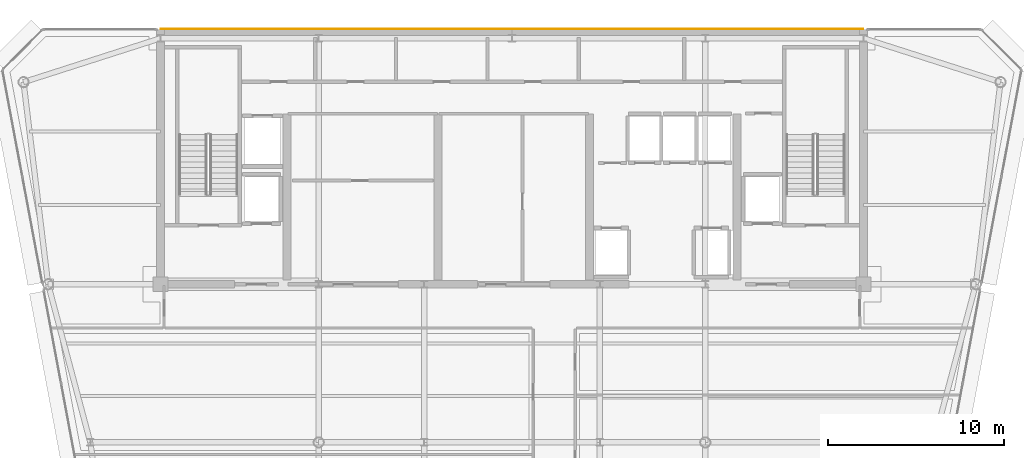
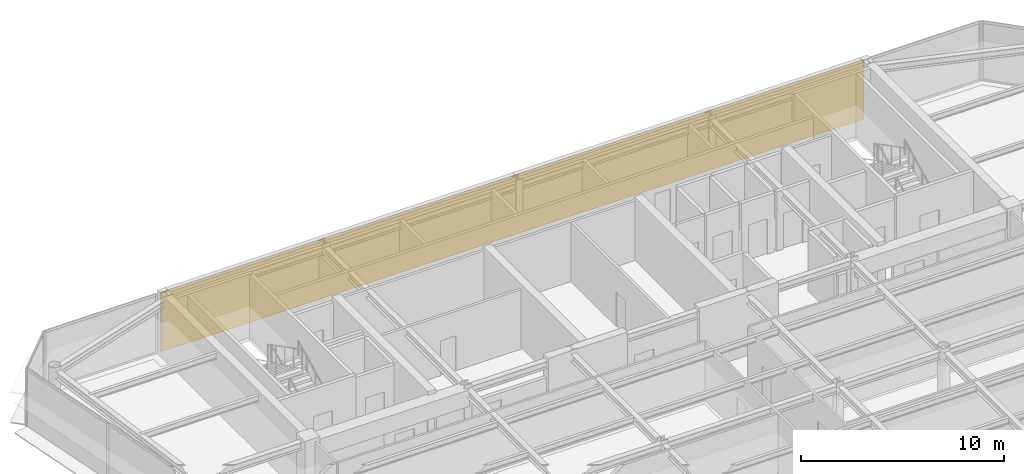
# One storey, part 19 of 20: 1 covering.
"""IFC4 building model written with IfcOpenShell, lengths in metres."""

from ifc_helpers import new_model, si_unit, direction, frame, origin, place, context, subcontext, project, spatial, polyline, outline, extrude, material, layer, layer_set, type_object, element, save


model = new_model("IFC4")

# Units and contexts
model_context = context("Model", 3, precision=1e-05, world=origin(), true_north=direction((0.0, 1.0)))
body_context = subcontext(model_context, "Body", "Model", "MODEL_VIEW")
ifc_project = project(units=[si_unit("LENGTHUNIT", "METRE"), si_unit("AREAUNIT", "SQUARE_METRE"), si_unit("VOLUMEUNIT", "CUBIC_METRE"), si_unit("PLANEANGLEUNIT", "RADIAN"), si_unit("MASSUNIT", "GRAM", prefix="KILO")], contexts=[model_context])

# Site, building, storey
site_placement = place(None, origin())
site = spatial("IfcSite", under=ifc_project, at=site_placement, CompositionType="ELEMENT")
building_placement = place(site_placement, origin())
building = spatial("IfcBuilding", under=site, at=building_placement, Name="Vaeldorn Concourse Tower", CompositionType="ELEMENT")
storey_placement = place(building_placement, frame((0.0, 0.0, 280.199951171875)))
storey = spatial("IfcBuildingStorey", under=building, at=storey_placement, Name="L72", CompositionType="ELEMENT", Elevation=280.199951171875)

# Covering
ifc_material = material(Name="Anodised Bronze Aluminium", Category="aluminium")
ifc_layer = layer(ifc_material, 0.050048828125)
ifc_layer_set = layer_set([ifc_layer], Name="Anodised Bronze Aluminium")
covering_type = type_object("IfcCoveringType", Name="COV-CLAD-BRONZE", PredefinedType="CLADDING", material=ifc_layer_set)
covering_placement = place(storey_placement, origin())
element("IfcCovering", 1, at=covering_placement, inside=storey, type_object=covering_type, Name="Rear Core Bronze Spandrel Cladding L72", PredefinedType="CLADDING", context=body_context, shape_type="SweptSolid", body=[
    extrude(outline(polyline([(14.0, 51.0), (54.0, 51.0), (54.0, 51.050048828125), (14.0, 51.050048828125), (14.0, 51.0)])), origin(), (0.0, 0.0, 1.0), 3.580078125),
])

save(model, "model.ifc")
